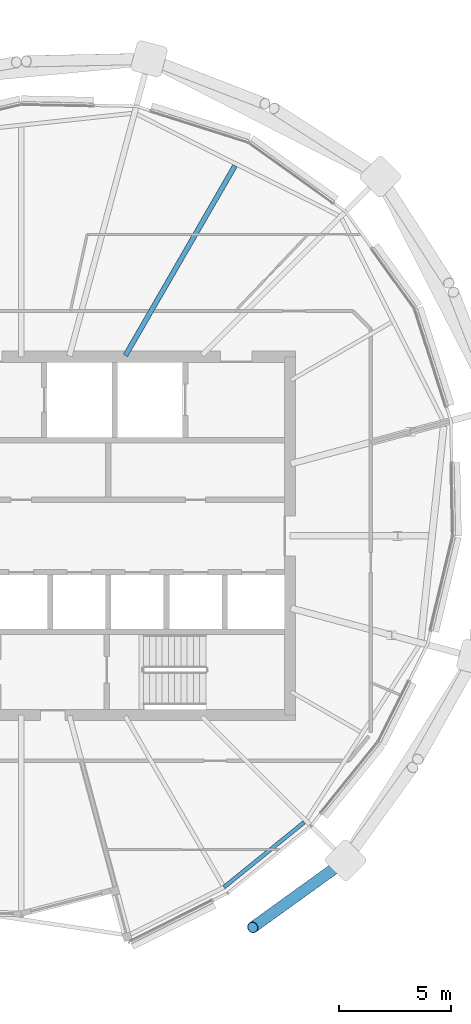
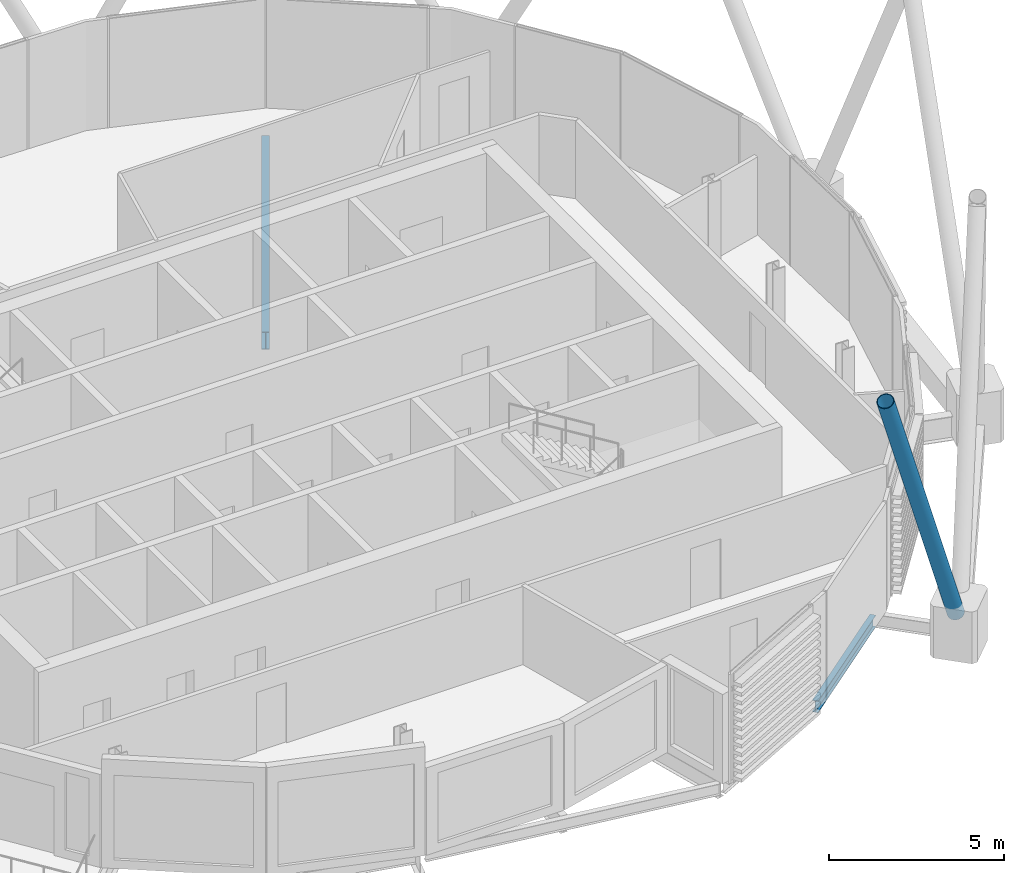
# One storey, part 13 of 32: 2 beams, 1 member.
"""IFC4 building model written with IfcOpenShell, lengths in metres."""

import ifcopenshell
import ifcopenshell.guid

model = None  # the IFC model being written
_history = None  # IfcOwnerHistory: only IFC2X3 demands one
_inside = {}  # id of a spatial element -> (the spatial element, [elements in it])
_under = {}  # id of a project, library or spatial element -> (it, [spatial elements below it])
_declared = {}  # id of a project -> (the project, [libraries it declares])
_typed = {}  # id of a type object -> (the type object, [elements of that type])
_made_of = {}  # id of a material, layer set ... -> (it, [elements and type objects made of it])


def new_model(schema):
    """Start an empty IFC model of exactly this schema.

    Asked for "IFC4X3", IfcOpenShell would pick the latest addendum, in which some entities
    have other attributes; the version numbers below select the first issue.
    IFC2X3 requires an IfcOwnerHistory on every rooted entity: one is made here for all.
    """
    global model, _history
    if schema == "IFC4X3":
        model = ifcopenshell.file(schema_version=(4, 3, 0, 0))
    else:
        model = ifcopenshell.file(schema=schema)
    _inside.clear()
    _under.clear()
    _declared.clear()
    _typed.clear()
    _made_of.clear()
    _history = None
    if model.schema == "IFC2X3":
        org = make("IfcOrganization", Name="unknown")
        user = make(
            "IfcPersonAndOrganization",
            ThePerson=make("IfcPerson", FamilyName="unknown"),
            TheOrganization=org,
        )
        app = make(
            "IfcApplication",
            ApplicationDeveloper=org,
            Version="unknown",
            ApplicationFullName="unknown",
            ApplicationIdentifier="unknown",
        )
        _history = make(
            "IfcOwnerHistory",
            OwningUser=user,
            OwningApplication=app,
            ChangeAction="ADDED",
            CreationDate=0,
        )
    return model


def make(cls, **values):
    """One entity of the class cls with the attributes given. An attribute that is None is left unset."""
    return model.create_entity(
        cls, **{name: value for name, value in values.items() if value is not None}
    )


def rooted(cls, **values):
    """An entity with a GlobalId (a new one), such as an element, a storey or a relation."""
    return make(cls, GlobalId=ifcopenshell.guid.new(), OwnerHistory=_history, **values)


def si_unit(unit_type, name, prefix=None):
    """IfcSIUnit, for example si_unit("LENGTHUNIT", "METRE", prefix="MILLI")."""
    return make("IfcSIUnit", UnitType=unit_type, Prefix=prefix, Name=name)


def assignment(units):
    """IfcUnitAssignment: the units of a project."""
    return None if units is None else make("IfcUnitAssignment", Units=units)


def point(xyz):
    """IfcCartesianPoint."""
    return None if xyz is None else make("IfcCartesianPoint", Coordinates=xyz)


def direction(xyz):
    """IfcDirection."""
    return None if xyz is None else make("IfcDirection", DirectionRatios=xyz)


def frame(location, z_axis=None, x_axis=None):
    """IfcAxis2Placement3D, a coordinate frame: its origin and axes. An axis left out is left unset."""
    return make(
        "IfcAxis2Placement3D",
        Location=point(location),
        Axis=direction(z_axis),
        RefDirection=direction(x_axis),
    )


def frame_2d(location, x_axis=None):
    """IfcAxis2Placement2D, a coordinate frame in the plane: its origin and x axis."""
    return make(
        "IfcAxis2Placement2D", Location=point(location), RefDirection=direction(x_axis)
    )


def origin():
    """The frame at (0, 0, 0) with its axes left unset."""
    return frame((0.0, 0.0, 0.0))


def origin_2d():
    """The frame at (0, 0) in the plane with its x axis left unset."""
    return frame_2d((0.0, 0.0))


def place(relative_to, where):
    """IfcLocalPlacement: puts the frame where relative to a parent placement (None: the world)."""
    return make(
        "IfcLocalPlacement", PlacementRelTo=relative_to, RelativePlacement=where
    )


def context(
    kind, dimensions, precision=None, world=None, true_north=None, identifier=None
):
    """IfcGeometricRepresentationContext, for example the 3D "Model" context."""
    return make(
        "IfcGeometricRepresentationContext",
        ContextIdentifier=identifier,
        ContextType=kind,
        CoordinateSpaceDimension=dimensions,
        Precision=precision,
        WorldCoordinateSystem=world,
        TrueNorth=true_north,
    )


def subcontext(parent, identifier, kind, view, scale=None):
    """IfcGeometricRepresentationSubContext, for example "Body" below "Model"."""
    return make(
        "IfcGeometricRepresentationSubContext",
        ContextIdentifier=identifier,
        ContextType=kind,
        ParentContext=parent,
        TargetScale=scale,
        TargetView=view,
    )


def project(units=None, contexts=None):
    """IfcProject with its units and contexts."""
    return rooted(
        "IfcProject",
        Name="project",
        RepresentationContexts=contexts,
        UnitsInContext=assignment(units),
    )


def spatial(cls, under=None, at=None, **own):
    """A site, building, storey or space (cls), placed at a placement, below another one or the project."""
    s = rooted(cls, ObjectPlacement=at, **own)
    if under is not None:
        _under.setdefault(under.id(), (under, []))[1].append(s)
    return s


def profile(cls, at=None, kind="AREA", **sizes):
    """A parametric profile (cls). Its sizes go by their IFC names, for example OverallWidth=200.0."""
    return make(cls, ProfileType=kind, Position=at, **sizes)


def hollow_circle(**sizes):
    """IfcCircleHollowProfileDef."""
    return profile("IfcCircleHollowProfileDef", **sizes)


def i_section(**sizes):
    """IfcIShapeProfileDef."""
    return profile("IfcIShapeProfileDef", **sizes)


def extrude(swept, where, along, depth):
    """IfcExtrudedAreaSolid: the profile swept, set in the frame where, extruded along a direction by depth."""
    return make(
        "IfcExtrudedAreaSolid",
        SweptArea=swept,
        Position=where,
        ExtrudedDirection=direction(along),
        Depth=depth,
    )


def shape(context_of_items, identifier, shape_type, items):
    """IfcShapeRepresentation: the items that make up one representation, for example the "Body"."""
    return make(
        "IfcShapeRepresentation",
        ContextOfItems=context_of_items,
        RepresentationIdentifier=identifier,
        RepresentationType=shape_type,
        Items=items,
    )


def material(Name=None, Category=None):
    """IfcMaterial."""
    return make("IfcMaterial", Name=Name, Category=Category)


def material_profile(
    of_material, cross_section, Name=None, Category=None, Priority=None
):
    """IfcMaterialProfile: a cross section and its material."""
    return make(
        "IfcMaterialProfile",
        Name=Name,
        Material=of_material,
        Profile=cross_section,
        Priority=Priority,
        Category=Category,
    )


def profile_set(profiles, Name=None, composite=None):
    """IfcMaterialProfileSet."""
    return make(
        "IfcMaterialProfileSet",
        Name=Name,
        MaterialProfiles=profiles,
        CompositeProfile=composite,
    )


def made_of(thing, what):
    """Note that an element or type object is made of a material, layer set ...; save() writes the relation."""
    if what is not None:
        _made_of.setdefault(what.id(), (what, []))[1].append(thing)
    return thing


def type_object(cls, material=None, **own):
    """A type object (cls), such as IfcWallType, which elements share."""
    return made_of(rooted(cls, **own), material)


def element(
    cls,
    number,
    at=None,
    inside=None,
    cuts=None,
    type_object=None,
    material=None,
    context=None,
    identifier="Body",
    shape_type=None,
    held_by="IfcProductDefinitionShape",
    body=None,
    shapes=None,
    **own,
):
    """One element of the class cls, such as IfcWall. Its Tag is "e" and its number.

    at: its placement. inside: the storey or other place that contains it. cuts: it is an
    opening in that element (IfcRelVoidsElement). A single representation is given by context,
    identifier, shape_type and body (its items); several are given by shapes. held_by: the class
    of the entity that holds the representations. save() writes the other relations.
    """
    e = rooted(cls, Tag="e%d" % number, ObjectPlacement=at, **own)
    if body is not None:
        shapes = [shape(context, identifier, shape_type, body)]
    if shapes is not None:
        e.Representation = make(held_by, Representations=shapes)
    if inside is not None:
        _inside.setdefault(inside.id(), (inside, []))[1].append(e)
    if cuts is not None:
        rooted(
            "IfcRelVoidsElement", RelatingBuildingElement=cuts, RelatedOpeningElement=e
        )
    if type_object is not None:
        _typed.setdefault(type_object.id(), (type_object, []))[1].append(e)
    return made_of(e, material)


def aggregate(whole, parts):
    """IfcRelAggregates: a whole, such as a stair, and the parts it consists of."""
    return rooted("IfcRelAggregates", RelatingObject=whole, RelatedObjects=parts)


def save(model, path):
    """Write the relations noted so far, then the file.

    IfcRelAggregates (storeys below a building ...), IfcRelContainedInSpatialStructure (elements
    in a storey), IfcRelDefinesByType, IfcRelAssociatesMaterial and IfcRelDeclares: one each for
    every whole, place, type object, material and project.
    """
    for whole, parts in _under.values():
        aggregate(whole, parts)
    for where, things in _inside.values():
        rooted(
            "IfcRelContainedInSpatialStructure",
            RelatedElements=things,
            RelatingStructure=where,
        )
    for kind, things in _typed.values():
        rooted("IfcRelDefinesByType", RelatedObjects=things, RelatingType=kind)
    for what, things in _made_of.values():
        rooted("IfcRelAssociatesMaterial", RelatedObjects=things, RelatingMaterial=what)
    for by, libraries in _declared.values():
        rooted("IfcRelDeclares", RelatingContext=by, RelatedDefinitions=libraries)
    model.write(path)


model = new_model("IFC4")

# Units and contexts
model_context = context("Model", 3, precision=1e-05, world=origin(), true_north=direction((0.0, 1.0)))
body_context = subcontext(model_context, "Body", "Model", "MODEL_VIEW")
ifc_project = project(units=[si_unit("LENGTHUNIT", "METRE"), si_unit("AREAUNIT", "SQUARE_METRE"), si_unit("VOLUMEUNIT", "CUBIC_METRE"), si_unit("PLANEANGLEUNIT", "RADIAN"), si_unit("MASSUNIT", "GRAM", prefix="KILO")], contexts=[model_context])

# Site, building, storey
site_placement = place(None, origin())
site = spatial("IfcSite", under=ifc_project, at=site_placement, CompositionType="ELEMENT")
building_placement = place(site_placement, origin())
building = spatial("IfcBuilding", under=site, at=building_placement, Name="Rimbun Link Towers", CompositionType="ELEMENT")
storey_placement = place(building_placement, frame((0.0, 0.0, 233.300048828125)))
storey = spatial("IfcBuildingStorey", under=building, at=storey_placement, Name="L57", CompositionType="ELEMENT", Elevation=233.300048828125)

# Member
ifc_material_1 = material(Name="Steel S355J2H", Category="steel")
ifc_material_profile_1 = material_profile(ifc_material_1, hollow_circle(Radius=0.25390625, WallThickness=0.02001953125, at=origin_2d()), Name="Diagrid diagonal CHS 508x20")
ifc_profile_set_1 = profile_set([ifc_material_profile_1], Name="Steel S355J2H")
member_type = type_object("IfcMemberType", Name="Diagrid diagonal CHS 508x20", PredefinedType="BRACE", material=ifc_profile_set_1)
member_placement = place(storey_placement, frame((46.064453125, -14.610107421875, 0.452880859375), z_axis=(-0.343505119742, -0.247697139231, 0.905897543836), x_axis=(0.584885340002, -0.811115983723, 0.0)))
element("IfcMember", 1, at=member_placement, inside=storey, type_object=member_type, Name="Diagrid diagonal T2 L57-L60 18a", PredefinedType="BRACE", context=body_context, shape_type="SweptSolid", body=[
    extrude(hollow_circle(Radius=0.25390625, WallThickness=0.02001953125, at=origin_2d()), origin(), (0.0, 0.0, 1.0), 11.584228515625),
])

# Beams
ifc_material_2 = material(Name="Steel S355J2", Category="steel")
ifc_material_profile_2 = material_profile(ifc_material_2, i_section(OverallWidth=0.177978515625, OverallDepth=0.406494140625, WebThickness=0.0078125, FlangeThickness=0.0126953125, at=origin_2d()), Name="UB 406x178x60")
ifc_profile_set_2 = profile_set([ifc_material_profile_2], Name="Steel S355J2")
beam_type_1 = type_object("IfcBeamType", Name="UB 406x178x60", PredefinedType="BEAM", material=ifc_profile_set_2)
beam_1_placement = place(storey_placement, frame((40.8125, -15.676025390625, -0.34326171875), z_axis=(0.777306710695, 0.629121830419, 0.0), x_axis=(-0.629121830419, 0.777306710695, 0.0)))
element("IfcBeam", 2, at=beam_1_placement, inside=storey, type_object=beam_type_1, Name="Edge beam T2 L57 17", PredefinedType="BEAM", context=body_context, shape_type="SweptSolid", body=[
    extrude(i_section(OverallWidth=0.177978515625, OverallDepth=0.406494140625, WebThickness=0.0078125, FlangeThickness=0.0126953125, at=origin_2d()), origin(), (0.0, 0.0, 1.0), 4.5966796875),
])
ifc_material_3 = material(Name="Steel S355J2", Category="steel")
ifc_material_profile_3 = material_profile(ifc_material_3, i_section(OverallWidth=0.2275390625, OverallDepth=0.6025390625, WebThickness=0.010498046875, FlangeThickness=0.014892578125, at=origin_2d()), Name="UB 610x229x101")
ifc_profile_set_3 = profile_set([ifc_material_profile_3], Name="Steel S355J2")
beam_type_2 = type_object("IfcBeamType", Name="UB 610x229x101", PredefinedType="BEAM", material=ifc_profile_set_3)
beam_2_placement = place(storey_placement, frame((36.402099609375, 8.057861328125, -0.44140625), z_axis=(0.500009012216, 0.866020200517, 0.0), x_axis=(-0.866020200517, 0.500009012216, 0.0)))
element("IfcBeam", 3, at=beam_2_placement, inside=storey, type_object=beam_type_2, Name="Radial beam T2 L57 01", PredefinedType="BEAM", context=body_context, shape_type="SweptSolid", body=[
    extrude(i_section(OverallWidth=0.2275390625, OverallDepth=0.6025390625, WebThickness=0.010498046875, FlangeThickness=0.014892578125, at=origin_2d()), origin(), (0.0, 0.0, 1.0), 9.783935546875),
])

save(model, "model.ifc")
